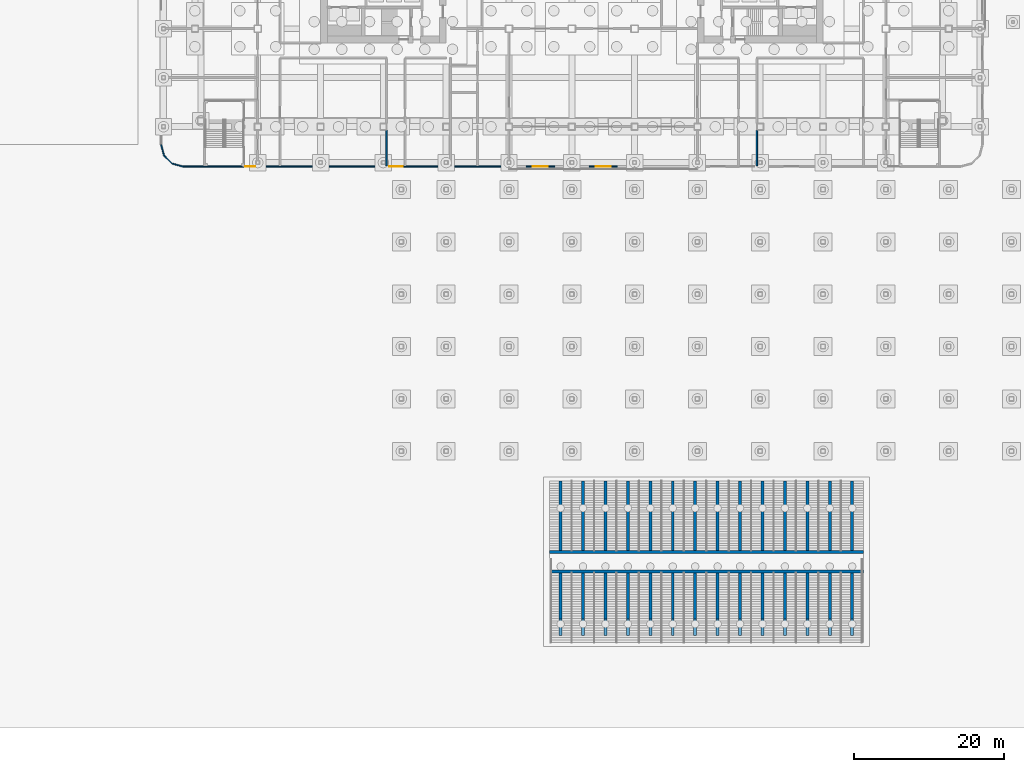
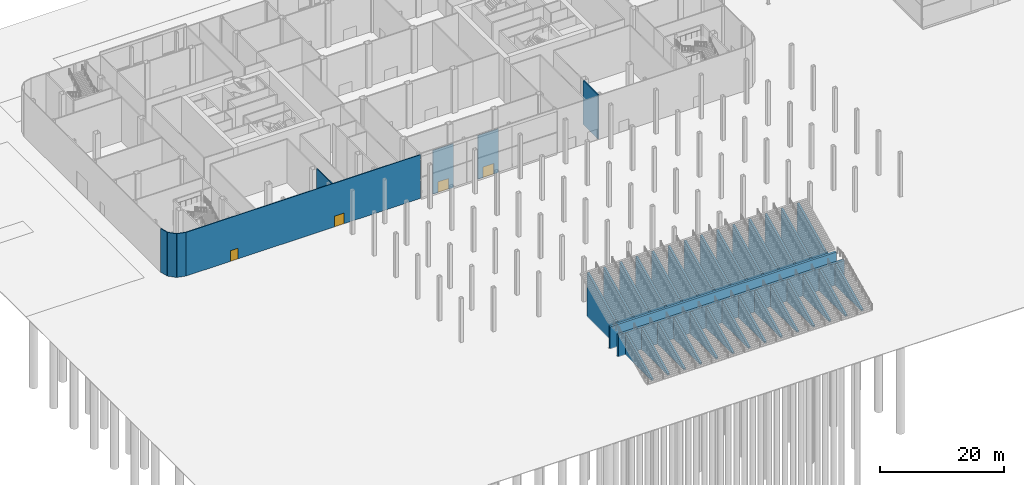
# One storey, part 35 of 113: 38 walls, 4 doors, 4 openings.
"""IFC4 building model written with IfcOpenShell, lengths in metres."""

from ifc_helpers import new_model, si_unit, direction, frame, frame_2d, origin, place, context, subcontext, project, spatial, polyline, rectangle, outline, extrude, material, layer, layer_set, type_object, element, fill, save


model = new_model("IFC4")

# Units and contexts
model_context = context("Model", 3, precision=1e-05, world=origin(), true_north=direction((0.0, 1.0)))
body_context = subcontext(model_context, "Body", "Model", "MODEL_VIEW")
ifc_project = project(units=[si_unit("LENGTHUNIT", "METRE"), si_unit("AREAUNIT", "SQUARE_METRE"), si_unit("VOLUMEUNIT", "CUBIC_METRE"), si_unit("PLANEANGLEUNIT", "RADIAN"), si_unit("MASSUNIT", "GRAM", prefix="KILO")], contexts=[model_context])

# Site, building, storey
site_placement = place(None, origin())
site = spatial("IfcSite", under=ifc_project, at=site_placement, CompositionType="ELEMENT")
building_placement = place(site_placement, origin())
building = spatial("IfcBuilding", under=site, at=building_placement, Name="Hakoniwa Tower and Hamabe Station Hall", CompositionType="ELEMENT")
storey_placement = place(building_placement, origin())
storey = spatial("IfcBuildingStorey", under=building, at=storey_placement, Name="L01", CompositionType="ELEMENT", Elevation=0.0)

# Wall, opening, door
ifc_material_1 = material(Name="Dark glass-faced aluminium panel", Category="aluminium")
ifc_layer_1 = layer(ifc_material_1, 0.14990234375)
ifc_layer_set_1 = layer_set([ifc_layer_1], Name="EXTERNAL WALL 150 EI 60")
wall_type_1 = type_object("IfcWallType", Name="EXTERNAL WALL 150 EI 60", PredefinedType="STANDARD", material=ifc_layer_set_1)
wall_1_placement = place(storey_placement, frame((6.10009765625, -24.925048828125, 0.0), z_axis=(0.0, 0.0, 1.0), x_axis=(-1.0, 0.0, 0.0)))
wall_1 = element("IfcWall", 1, at=wall_1_placement, inside=storey, type_object=wall_type_1, Name="External wall L01 4-2", PredefinedType="STANDARD", context=body_context, shape_type="SweptSolid", body=[
    extrude(rectangle(XDim=3.800048828125, YDim=0.14990234375, at=frame_2d((1.89990234375, 0.0))), origin(), (0.0, 0.0, 1.0), 8.60009765625),
])
opening_1_placement = place(wall_1_placement, frame((0.89990234375, 0.0, 0.0)))
opening_1 = element("IfcOpeningElement", 2, at=opening_1_placement, cuts=wall_1, Name="Opening ED-S-06", PredefinedType="OPENING", context=body_context, shape_type="SweptSolid", body=[
    extrude(rectangle(XDim=2.0, YDim=2.10009765625, at=frame_2d((1.0, 1.050048828125))), frame((0.0, 0.0849609375, 0.0), z_axis=(0.0, -1.0, 0.0), x_axis=(1.0, 0.0, 0.0)), (0.0, 0.0, 1.0), 0.169921875),
])
ifc_material_2 = material(Name="Glazed aluminium door", Category="aluminium")
door_type_1 = type_object("IfcDoorType", Name="DOUBLE GLAZED DOOR 2000X2100", OperationType="DOUBLE_DOOR_DOUBLE_SWING", PredefinedType="DOOR", material=ifc_material_2)
door_1_placement = place(opening_1_placement, origin())
door_1 = element("IfcDoor", 3, at=door_1_placement, inside=storey, type_object=door_type_1, Name="Entrance door", OperationType="DOUBLE_DOOR_DOUBLE_SWING", OverallHeight=2.10009765625, OverallWidth=2.0, PredefinedType="DOOR", context=body_context, shape_type="SweptSolid", body=[
    extrude(rectangle(XDim=2.0, YDim=2.10009765625, at=frame_2d((1.0, 1.050048828125))), frame((0.0, 0.02490234375, 0.0), z_axis=(0.0, -1.0, 0.0), x_axis=(1.0, 0.0, 0.0)), (0.0, 0.0, 1.0), 0.050048828125),
])
fill(opening_1, door_1)

wall_2_placement = place(storey_placement, frame((-2.300048828125, -24.925048828125, 0.0), z_axis=(0.0, 0.0, 1.0), x_axis=(-1.0, 0.0, 0.0)))
wall_2 = element("IfcWall", 4, at=wall_2_placement, inside=storey, type_object=wall_type_1, Name="External wall L01 4-3", PredefinedType="STANDARD", context=body_context, shape_type="SweptSolid", body=[
    extrude(rectangle(XDim=3.800048828125, YDim=0.14990234375, at=frame_2d((1.89990234375, 0.0))), origin(), (0.0, 0.0, 1.0), 8.60009765625),
])
opening_2_placement = place(wall_2_placement, frame((0.89990234375, 0.0, 0.0)))
opening_2 = element("IfcOpeningElement", 5, at=opening_2_placement, cuts=wall_2, Name="Opening ED-S-05", PredefinedType="OPENING", context=body_context, shape_type="SweptSolid", body=[
    extrude(rectangle(XDim=2.0, YDim=2.10009765625, at=frame_2d((1.0, 1.050048828125))), frame((0.0, 0.0849609375, 0.0), z_axis=(0.0, -1.0, 0.0), x_axis=(1.0, 0.0, 0.0)), (0.0, 0.0, 1.0), 0.169921875),
])
door_2_placement = place(opening_2_placement, origin())
door_2 = element("IfcDoor", 6, at=door_2_placement, inside=storey, type_object=door_type_1, Name="Entrance door", OperationType="DOUBLE_DOOR_DOUBLE_SWING", OverallHeight=2.10009765625, OverallWidth=2.0, PredefinedType="DOOR", context=body_context, shape_type="SweptSolid", body=[
    extrude(rectangle(XDim=2.0, YDim=2.10009765625, at=frame_2d((1.0, 1.050048828125))), frame((0.0, 0.02490234375, 0.0), z_axis=(0.0, -1.0, 0.0), x_axis=(1.0, 0.0, 0.0)), (0.0, 0.0, 1.0), 0.050048828125),
])
fill(opening_2, door_2)

# Wall, openings, doors
wall_3_placement = place(storey_placement, frame((-8.39990234375, -24.925048828125, 0.0), z_axis=(0.0, 0.0, 1.0), x_axis=(-1.0, 0.0, 0.0)))
wall_3 = element("IfcWall", 7, at=wall_3_placement, inside=storey, type_object=wall_type_1, Name="External wall L01 4-4", PredefinedType="STANDARD", context=body_context, shape_type="SweptSolid", body=[
    extrude(rectangle(XDim=43.580322265625, YDim=0.14990234375, at=frame_2d((21.7900390625, 0.0))), origin(), (0.0, 0.0, 1.0), 8.60009765625),
])
opening_3_placement = place(wall_3_placement, frame((33.89990234375, 0.0, 0.0)))
opening_3 = element("IfcOpeningElement", 8, at=opening_3_placement, cuts=wall_3, Name="Opening ED-S-02", PredefinedType="OPENING", context=body_context, shape_type="SweptSolid", body=[
    extrude(rectangle(XDim=1.39990234375, YDim=2.10009765625, at=frame_2d((0.699951171875, 1.050048828125))), frame((0.0, 0.0849609375, 0.0), z_axis=(0.0, -1.0, 0.0), x_axis=(1.0, 0.0, 0.0)), (0.0, 0.0, 1.0), 0.169921875),
])
opening_4_placement = place(wall_3_placement, frame((14.22509765625, 0.0, 0.0)))
opening_4 = element("IfcOpeningElement", 9, at=opening_4_placement, cuts=wall_3, Name="Opening ED-S-03", PredefinedType="OPENING", context=body_context, shape_type="SweptSolid", body=[
    extrude(rectangle(XDim=1.800048828125, YDim=2.10009765625, at=frame_2d((0.89990234375, 1.050048828125))), frame((0.0, 0.0849609375, 0.0), z_axis=(0.0, -1.0, 0.0), x_axis=(1.0, 0.0, 0.0)), (0.0, 0.0, 1.0), 0.169921875),
])
ifc_material_3 = material(Name="Timber door leaf", Category="wood")
door_type_2 = type_object("IfcDoorType", Name="DOUBLE DOOR 1400X2100", OperationType="DOUBLE_DOOR_SINGLE_SWING", PredefinedType="DOOR", material=ifc_material_3)
door_3_placement = place(opening_3_placement, origin())
door_3 = element("IfcDoor", 10, at=door_3_placement, inside=storey, type_object=door_type_2, Name="Entrance door", OperationType="DOUBLE_DOOR_SINGLE_SWING", OverallHeight=2.10009765625, OverallWidth=1.39990234375, PredefinedType="DOOR", context=body_context, shape_type="SweptSolid", body=[
    extrude(rectangle(XDim=1.39990234375, YDim=2.10009765625, at=frame_2d((0.699951171875, 1.050048828125))), frame((0.0, 0.02490234375, 0.0), z_axis=(0.0, -1.0, 0.0), x_axis=(1.0, 0.0, 0.0)), (0.0, 0.0, 1.0), 0.050048828125),
])
fill(opening_3, door_3)
ifc_material_4 = material(Name="Timber door leaf", Category="wood")
door_type_3 = type_object("IfcDoorType", Name="DOUBLE DOOR 1800X2100", OperationType="DOUBLE_DOOR_SINGLE_SWING", PredefinedType="DOOR", material=ifc_material_4)
door_4_placement = place(opening_4_placement, origin())
door_4 = element("IfcDoor", 11, at=door_4_placement, inside=storey, type_object=door_type_3, Name="Entrance door", OperationType="DOUBLE_DOOR_SINGLE_SWING", OverallHeight=2.10009765625, OverallWidth=1.800048828125, PredefinedType="DOOR", context=body_context, shape_type="SweptSolid", body=[
    extrude(rectangle(XDim=1.800048828125, YDim=2.10009765625, at=frame_2d((0.89990234375, 1.050048828125))), frame((0.0, 0.02490234375, 0.0), z_axis=(0.0, -1.0, 0.0), x_axis=(1.0, 0.0, 0.0)), (0.0, 0.0, 1.0), 0.050048828125),
])
fill(opening_4, door_4)

# Walls
wall_4_placement = place(storey_placement, frame((-51.999755859375, -24.92236328125, 0.0), z_axis=(0.0, 0.0, 1.0), x_axis=(-0.965946591624, 0.258741535379, 0.0)))
element("IfcWall", 12, at=wall_4_placement, inside=storey, type_object=wall_type_1, Name="External wall L01 5-1", PredefinedType="STANDARD", context=body_context, shape_type="SweptSolid", body=[
    extrude(rectangle(XDim=1.49267578125, YDim=0.14990234375, at=frame_2d((0.746337890625, 0.0))), origin(), (0.0, 0.0, 1.0), 8.60009765625),
])
wall_5_placement = place(storey_placement, frame((-53.475341796875, -24.5166015625, 0.0), z_axis=(0.0, 0.0, 1.0), x_axis=(-0.707106781187, 0.707106781187, 0.0)))
element("IfcWall", 13, at=wall_5_placement, inside=storey, type_object=wall_type_1, Name="External wall L01 6-1", PredefinedType="STANDARD", context=body_context, shape_type="SweptSolid", body=[
    extrude(rectangle(XDim=1.47265625, YDim=0.14990234375, at=frame_2d((0.736328125, 0.0))), origin(), (0.0, 0.0, 1.0), 8.60009765625),
])
wall_6_placement = place(storey_placement, frame((-54.5361328125, -23.441650390625, 0.0), z_axis=(0.0, 0.0, 1.0), x_axis=(-0.258741535379, 0.965946591624, 0.0)))
element("IfcWall", 14, at=wall_6_placement, inside=storey, type_object=wall_type_1, Name="External wall L01 7-1", PredefinedType="STANDARD", context=body_context, shape_type="SweptSolid", body=[
    extrude(rectangle(XDim=1.49267578125, YDim=0.14990234375, at=frame_2d((0.746337890625, 0.0))), origin(), (0.0, 0.0, 1.0), 8.60009765625),
])
ifc_material_5 = material(Name="Fire-rated gypsum board partition")
ifc_layer_2 = layer(ifc_material_5, 0.199951171875)
ifc_layer_set_2 = layer_set([ifc_layer_2], Name="FIRE PARTITION 200 EI 60")
wall_type_2 = type_object("IfcWallType", Name="FIRE PARTITION 200 EI 60", PredefinedType="PARTITIONING", material=ifc_layer_set_2)
for number, where, z_axis, x_axis, name in (
    (15, (24.75, -20.050048828125, 0.0), (0.0, 0.0, 1.0), (0.0, -1.0, 0.0), "Wall East Service Corridor / Retail Unit 5"),
    (16, (-24.75, -24.85009765625, 0.0), (0.0, 0.0, 1.0), (0.0, 1.0, 0.0), "Wall West Service Corridor / Electrical and Mechanical Plant Room"),
):
    element("IfcWall", number, at=place(storey_placement, frame(where, z_axis=z_axis, x_axis=x_axis)), inside=storey, type_object=wall_type_2, Name=name, PredefinedType="PARTITIONING", context=body_context, shape_type="SweptSolid", body=[
        extrude(rectangle(XDim=4.800048828125, YDim=0.199951171875, at=frame_2d((2.39990234375, 0.0))), origin(), (0.0, 0.0, 1.0), 8.60009765625),
    ])
ifc_material_6 = material(Name="Concrete C40", Category="concrete")
ifc_layer_3 = layer(ifc_material_6, 0.39990234375)
ifc_layer_set_3 = layer_set([ifc_layer_3], Name="RC WALL 400 C40")
wall_type_3 = type_object("IfcWallType", Name="RC WALL 400 C40", PredefinedType="SHEAR", material=ifc_layer_set_3)
for number, where, z_axis, x_axis, name in (
    (17, (-1.5, -76.280029296875, -0.14990234375), (0.0, 0.0, 1.0), (0.0, 1.0, 0.0), "Stair support wall 1-1"),
    (18, (1.5, -76.280029296875, -0.14990234375), (0.0, 0.0, 1.0), (0.0, 1.0, 0.0), "Stair support wall 1-2"),
    (19, (4.5, -76.280029296875, -0.14990234375), (0.0, 0.0, 1.0), (0.0, 1.0, 0.0), "Stair support wall 1-3"),
    (20, (7.5, -76.280029296875, -0.14990234375), (0.0, 0.0, 1.0), (0.0, 1.0, 0.0), "Stair support wall 1-4"),
    (21, (10.5, -76.280029296875, -0.14990234375), (0.0, 0.0, 1.0), (0.0, 1.0, 0.0), "Stair support wall 1-5"),
    (22, (13.5, -76.280029296875, -0.14990234375), (0.0, 0.0, 1.0), (0.0, 1.0, 0.0), "Stair support wall 1-6"),
    (23, (16.5, -76.280029296875, -0.14990234375), (0.0, 0.0, 1.0), (0.0, 1.0, 0.0), "Stair support wall 1-7"),
    (24, (19.5, -76.280029296875, -0.14990234375), (0.0, 0.0, 1.0), (0.0, 1.0, 0.0), "Stair support wall 1-8"),
    (25, (22.5, -76.280029296875, -0.14990234375), (0.0, 0.0, 1.0), (0.0, 1.0, 0.0), "Stair support wall 1-9"),
    (26, (25.5, -76.280029296875, -0.14990234375), (0.0, 0.0, 1.0), (0.0, 1.0, 0.0), "Stair support wall 1-10"),
    (27, (28.5, -76.280029296875, -0.14990234375), (0.0, 0.0, 1.0), (0.0, 1.0, 0.0), "Stair support wall 1-11"),
    (28, (31.5, -76.280029296875, -0.14990234375), (0.0, 0.0, 1.0), (0.0, 1.0, 0.0), "Stair support wall 1-12"),
    (29, (34.5, -76.280029296875, -0.14990234375), (0.0, 0.0, 1.0), (0.0, 1.0, 0.0), "Stair support wall 1-13"),
    (30, (37.5, -76.280029296875, -0.14990234375), (0.0, 0.0, 1.0), (0.0, 1.0, 0.0), "Stair support wall 1-14"),
):
    element("IfcWall", number, at=place(storey_placement, frame(where, z_axis=z_axis, x_axis=x_axis)), inside=storey, type_object=wall_type_3, Name=name, PredefinedType="SHEAR", context=body_context, shape_type="SweptSolid", body=[
        extrude(outline(polyline([(0.0, 0.0), (9.280029296875, 0.0), (9.280029296875, 8.723876953125), (0.589111328125, 4.64990234375), (0.0, 4.64990234375), (0.0, 0.0)])), frame((0.0, 0.199951171875, 0.0), z_axis=(0.0, -1.0, 0.0), x_axis=(1.0, 0.0, 0.0)), (0.0, 0.0, 1.0), 0.39990234375),
    ])
for number, where, z_axis, x_axis, name in (
    (31, (-1.5, -87.6708984375, -0.14990234375), (0.0, 0.0, 1.0), (0.0, 1.0, 0.0), "Stair support wall 2-1"),
    (32, (1.5, -87.6708984375, -0.14990234375), (0.0, 0.0, 1.0), (0.0, 1.0, 0.0), "Stair support wall 2-2"),
    (33, (4.5, -87.6708984375, -0.14990234375), (0.0, 0.0, 1.0), (0.0, 1.0, 0.0), "Stair support wall 2-3"),
    (34, (7.5, -87.6708984375, -0.14990234375), (0.0, 0.0, 1.0), (0.0, 1.0, 0.0), "Stair support wall 2-4"),
    (35, (10.5, -87.6708984375, -0.14990234375), (0.0, 0.0, 1.0), (0.0, 1.0, 0.0), "Stair support wall 2-5"),
    (36, (13.5, -87.6708984375, -0.14990234375), (0.0, 0.0, 1.0), (0.0, 1.0, 0.0), "Stair support wall 2-6"),
    (37, (16.5, -87.6708984375, -0.14990234375), (0.0, 0.0, 1.0), (0.0, 1.0, 0.0), "Stair support wall 2-7"),
    (38, (19.5, -87.6708984375, -0.14990234375), (0.0, 0.0, 1.0), (0.0, 1.0, 0.0), "Stair support wall 2-8"),
    (39, (22.5, -87.6708984375, -0.14990234375), (0.0, 0.0, 1.0), (0.0, 1.0, 0.0), "Stair support wall 2-9"),
    (40, (25.5, -87.6708984375, -0.14990234375), (0.0, 0.0, 1.0), (0.0, 1.0, 0.0), "Stair support wall 2-10"),
    (41, (28.5, -87.6708984375, -0.14990234375), (0.0, 0.0, 1.0), (0.0, 1.0, 0.0), "Stair support wall 2-11"),
    (42, (31.5, -87.6708984375, -0.14990234375), (0.0, 0.0, 1.0), (0.0, 1.0, 0.0), "Stair support wall 2-12"),
    (43, (34.5, -87.6708984375, -0.14990234375), (0.0, 0.0, 1.0), (0.0, 1.0, 0.0), "Stair support wall 2-13"),
    (44, (37.5, -87.6708984375, -0.14990234375), (0.0, 0.0, 1.0), (0.0, 1.0, 0.0), "Stair support wall 2-14"),
):
    element("IfcWall", number, at=place(storey_placement, frame(where, z_axis=z_axis, x_axis=x_axis)), inside=storey, type_object=wall_type_3, Name=name, PredefinedType="SHEAR", context=body_context, shape_type="SweptSolid", body=[
        extrude(outline(polyline([(0.0, 0.0), (8.390869140625, 0.0), (8.39111328125, 4.223876953125), (0.0, 0.29052734375), (0.0, 0.0)])), frame((0.0, 0.199951171875, 0.0), z_axis=(0.0, -1.0, 0.0), x_axis=(1.0, 0.0, 0.0)), (0.0, 0.0, 1.0), 0.39990234375),
    ])
for number, where, z_axis, x_axis, name in (
    (45, (-3.0, -79.080078125, -0.14990234375), (0.0, 0.0, 1.0), (1.0, 0.0, 0.0), "Landing support wall A"),
    (46, (-3.0, -76.47998046875, -0.14990234375), (0.0, 0.0, 1.0), (1.0, 0.0, 0.0), "Landing support wall B"),
):
    element("IfcWall", number, at=place(storey_placement, frame(where, z_axis=z_axis, x_axis=x_axis)), inside=storey, type_object=wall_type_3, Name=name, PredefinedType="SHEAR", context=body_context, shape_type="SweptSolid", body=[
        extrude(rectangle(XDim=42.0, YDim=0.39990234375, at=frame_2d((21.0, 0.0))), origin(), (0.0, 0.0, 1.0), 4.349853515625),
    ])

save(model, "model.ifc")
